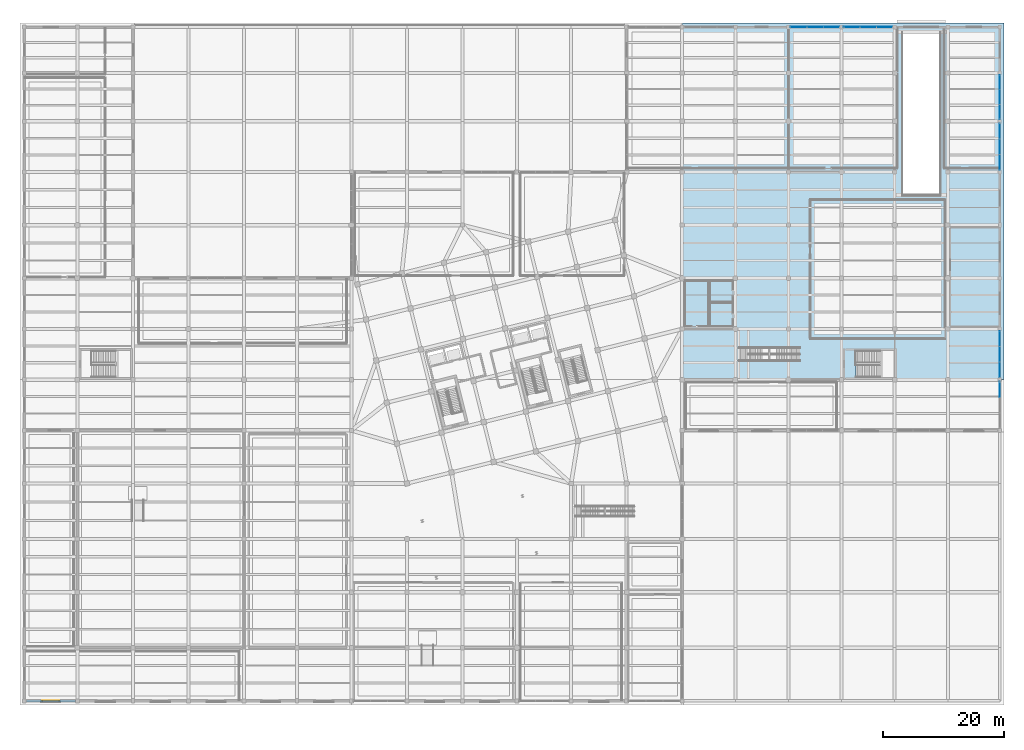
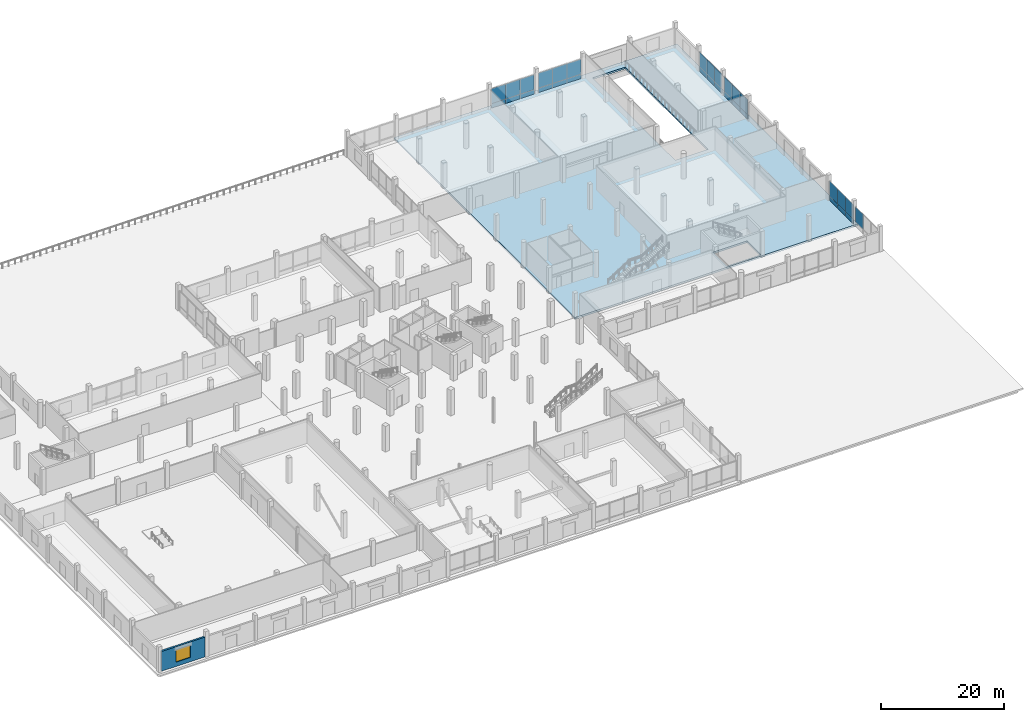
# One storey, part 56 of 73: 31 plates, 1 slab, 1 wall, 1 window, 1 opening, 6 elements without a shape of their own.
"""IFC4 building model written with IfcOpenShell, lengths in metres."""

from ifc_helpers import new_model, si_unit, direction, frame, frame_2d, origin, origin_2d, place, context, subcontext, project, spatial, polyline, rectangle, outline, extrude, material, layer, layer_set, type_object, element, fill, aggregate, save


model = new_model("IFC4")

# Units and contexts
model_context = context("Model", 3, precision=1e-05, world=origin(), true_north=direction((0.0, 1.0)))
body_context = subcontext(model_context, "Body", "Model", "MODEL_VIEW")
ifc_project = project(units=[si_unit("LENGTHUNIT", "METRE"), si_unit("AREAUNIT", "SQUARE_METRE"), si_unit("VOLUMEUNIT", "CUBIC_METRE"), si_unit("PLANEANGLEUNIT", "RADIAN"), si_unit("MASSUNIT", "GRAM", prefix="KILO")], contexts=[model_context])

# Site, building, storey
site_placement = place(None, origin())
site = spatial("IfcSite", under=ifc_project, at=site_placement, CompositionType="ELEMENT")
building_placement = place(site_placement, origin())
building = spatial("IfcBuilding", under=site, at=building_placement, Name="Meriwether Solvik Hall", CompositionType="ELEMENT")
storey_placement = place(building_placement, origin())
storey = spatial("IfcBuildingStorey", under=building, at=storey_placement, Name="L00", CompositionType="ELEMENT", Elevation=0.0)

# Curtain wall, plates
ifc_material_1 = material(Name="Thermally Broken Anodised Aluminium 6063-T6 and Low-E Glass", Category="aluminium")
ifc_layer_1 = layer(ifc_material_1, 0.179931640625)
ifc_layer_set_1 = layer_set([ifc_layer_1], Name="Thermally Broken Anodised Aluminium 6063-T6 and Low-E Glass")
curtain_wall_type = type_object("IfcCurtainWallType", Name="CW-SF-POD-A", PredefinedType="USERDEFINED", material=ifc_layer_set_1)
curtain_wall_1_placement = place(storey_placement, origin())
curtain_wall_1 = element("IfcCurtainWall", 1, at=curtain_wall_1_placement, inside=storey, type_object=curtain_wall_type, Name="Curtain Wall wing_XN_15_32 (L00)", ObjectType="STICK STOREFRONT GLAZING", PredefinedType="USERDEFINED")
ifc_material_2 = material(Name="Acoustic Laminated Insulating Glass", Category="glass")
ifc_layer_2 = layer(ifc_material_2, 0.035888671875)
ifc_layer_set_2 = layer_set([ifc_layer_2], Name="Acoustic Laminated Insulating Glass")
plate_type_1 = type_object("IfcPlateType", Name="PLT-GLZ-270X260", PredefinedType="CURTAIN_PANEL", material=ifc_layer_set_2)
plate_1_placement = place(storey_placement, frame((133.51025390625, 116.800048828125, 0.8798828125), z_axis=(0.0, 0.0, 1.0), x_axis=(1.0, 0.0, 0.0)))
plate_1 = element("IfcPlate", 2, at=plate_1_placement, type_object=plate_type_1, Name="Low-E Vision Glazing Panel 1", PredefinedType="CURTAIN_PANEL", context=body_context, shape_type="SweptSolid", body=[
    extrude(rectangle(XDim=2.66259765625, YDim=0.033935546875, at=origin_2d()), origin(), (0.0, 0.0, 1.0), 3.0),
])
plate_2_placement = place(storey_placement, frame((136.199951171875, 116.800048828125, 0.8798828125), z_axis=(0.0, 0.0, 1.0), x_axis=(1.0, 0.0, 0.0)))
plate_2 = element("IfcPlate", 3, at=plate_2_placement, type_object=plate_type_1, Name="Low-E Vision Glazing Panel 2", PredefinedType="CURTAIN_PANEL", context=body_context, shape_type="SweptSolid", body=[
    extrude(rectangle(XDim=2.70068359375, YDim=0.033935546875, at=origin_2d()), origin(), (0.0, 0.0, 1.0), 3.0),
])
plate_3_placement = place(storey_placement, frame((138.8896484375, 116.800048828125, 0.8798828125), z_axis=(0.0, 0.0, 1.0), x_axis=(1.0, 0.0, 0.0)))
plate_3 = element("IfcPlate", 4, at=plate_3_placement, type_object=plate_type_1, Name="Low-E Vision Glazing Panel 3", PredefinedType="CURTAIN_PANEL", context=body_context, shape_type="SweptSolid", body=[
    extrude(rectangle(XDim=2.66259765625, YDim=0.033935546875, at=origin_2d()), origin(), (0.0, 0.0, 1.0), 3.0),
])

curtain_wall_2_placement = place(storey_placement, origin())
curtain_wall_2 = element("IfcCurtainWall", 5, at=curtain_wall_2_placement, inside=storey, type_object=curtain_wall_type, Name="Curtain Wall wing_XN_16_33 (L00)", ObjectType="STICK STOREFRONT GLAZING", PredefinedType="USERDEFINED")
plate_4_placement = place(storey_placement, frame((142.310302734375, 116.800048828125, 0.8798828125), z_axis=(0.0, 0.0, 1.0), x_axis=(1.0, 0.0, 0.0)))
plate_4 = element("IfcPlate", 6, at=plate_4_placement, type_object=plate_type_1, Name="Low-E Vision Glazing Panel 1", PredefinedType="CURTAIN_PANEL", context=body_context, shape_type="SweptSolid", body=[
    extrude(rectangle(XDim=2.66259765625, YDim=0.033935546875, at=origin_2d()), origin(), (0.0, 0.0, 1.0), 3.0),
])
plate_5_placement = place(storey_placement, frame((145.0, 116.800048828125, 0.8798828125), z_axis=(0.0, 0.0, 1.0), x_axis=(1.0, 0.0, 0.0)))
plate_5 = element("IfcPlate", 7, at=plate_5_placement, type_object=plate_type_1, Name="Low-E Vision Glazing Panel 2", PredefinedType="CURTAIN_PANEL", context=body_context, shape_type="SweptSolid", body=[
    extrude(rectangle(XDim=2.70068359375, YDim=0.033935546875, at=origin_2d()), origin(), (0.0, 0.0, 1.0), 3.0),
])
plate_6_placement = place(storey_placement, frame((147.689697265625, 116.800048828125, 0.8798828125), z_axis=(0.0, 0.0, 1.0), x_axis=(1.0, 0.0, 0.0)))
plate_6 = element("IfcPlate", 8, at=plate_6_placement, type_object=plate_type_1, Name="Low-E Vision Glazing Panel 3", PredefinedType="CURTAIN_PANEL", context=body_context, shape_type="SweptSolid", body=[
    extrude(rectangle(XDim=2.66259765625, YDim=0.033935546875, at=origin_2d()), origin(), (0.0, 0.0, 1.0), 3.0),
])

# Curtain wall, plate
curtain_wall_3_placement = place(storey_placement, origin())
curtain_wall_3 = element("IfcCurtainWall", 9, at=curtain_wall_3_placement, inside=storey, type_object=curtain_wall_type, Name="Curtain Wall wing_Y19_6_64 (L00)", ObjectType="STICK STOREFRONT GLAZING", PredefinedType="USERDEFINED")
plate_7_placement = place(storey_placement, frame((166.800048828125, 56.75634765625, 0.8798828125), z_axis=(0.0, 0.0, 1.0), x_axis=(0.0, -1.0, 0.0)))
plate_7 = element("IfcPlate", 10, at=plate_7_placement, type_object=plate_type_1, Name="Low-E Vision Glazing Panel 1", PredefinedType="CURTAIN_PANEL", context=body_context, shape_type="SweptSolid", body=[
    extrude(rectangle(XDim=2.529296875, YDim=0.033935546875, at=origin_2d()), origin(), (0.0, 0.0, 1.0), 3.0),
])
aggregate(curtain_wall_3, [plate_7])

# Curtain wall, plates
curtain_wall_4_placement = place(storey_placement, origin())
curtain_wall_4 = element("IfcCurtainWall", 11, at=curtain_wall_4_placement, inside=storey, type_object=curtain_wall_type, Name="Curtain Wall wing_Y19_7_65 (L00)", ObjectType="STICK STOREFRONT GLAZING", PredefinedType="USERDEFINED")
plate_8_placement = place(storey_placement, frame((166.800048828125, 65.15625, 0.8798828125), z_axis=(0.0, 0.0, 1.0), x_axis=(0.0, -1.0, 0.0)))
plate_8 = element("IfcPlate", 12, at=plate_8_placement, type_object=plate_type_1, Name="Low-E Vision Glazing Panel 1", PredefinedType="CURTAIN_PANEL", context=body_context, shape_type="SweptSolid", body=[
    extrude(rectangle(XDim=2.529296875, YDim=0.033935546875, at=origin_2d()), origin(), (0.0, 0.0, 1.0), 3.0),
])
plate_9_placement = place(storey_placement, frame((166.800048828125, 62.60009765625, 0.8798828125), z_axis=(0.0, 0.0, 1.0), x_axis=(0.0, -1.0, 0.0)))
plate_9 = element("IfcPlate", 13, at=plate_9_placement, type_object=plate_type_1, Name="Low-E Vision Glazing Panel 2", PredefinedType="CURTAIN_PANEL", context=body_context, shape_type="SweptSolid", body=[
    extrude(rectangle(XDim=2.5673828125, YDim=0.033935546875, at=origin_2d()), origin(), (0.0, 0.0, 1.0), 3.0),
])
plate_10_placement = place(storey_placement, frame((166.800048828125, 60.043701171875, 0.8798828125), z_axis=(0.0, 0.0, 1.0), x_axis=(0.0, -1.0, 0.0)))
plate_10 = element("IfcPlate", 14, at=plate_10_placement, type_object=plate_type_1, Name="Low-E Vision Glazing Panel 3", PredefinedType="CURTAIN_PANEL", context=body_context, shape_type="SweptSolid", body=[
    extrude(rectangle(XDim=2.529296875, YDim=0.033935546875, at=origin_2d()), origin(), (0.0, 0.0, 1.0), 3.0),
])

curtain_wall_5_placement = place(storey_placement, origin())
curtain_wall_5 = element("IfcCurtainWall", 15, at=curtain_wall_5_placement, inside=storey, type_object=curtain_wall_type, Name="Curtain Wall wing_Y19_11_69 (L00)", ObjectType="STICK STOREFRONT GLAZING", PredefinedType="USERDEFINED")
plate_11_placement = place(storey_placement, frame((166.800048828125, 99.556396484375, 0.8798828125), z_axis=(0.0, 0.0, 1.0), x_axis=(0.0, -1.0, 0.0)))
plate_11 = element("IfcPlate", 16, at=plate_11_placement, type_object=plate_type_1, Name="Low-E Vision Glazing Panel 1", PredefinedType="CURTAIN_PANEL", context=body_context, shape_type="SweptSolid", body=[
    extrude(rectangle(XDim=2.529296875, YDim=0.033935546875, at=origin_2d()), origin(), (0.0, 0.0, 1.0), 3.0),
])
plate_12_placement = place(storey_placement, frame((166.800048828125, 97.0, 0.8798828125), z_axis=(0.0, 0.0, 1.0), x_axis=(0.0, -1.0, 0.0)))
plate_12 = element("IfcPlate", 17, at=plate_12_placement, type_object=plate_type_1, Name="Low-E Vision Glazing Panel 2", PredefinedType="CURTAIN_PANEL", context=body_context, shape_type="SweptSolid", body=[
    extrude(rectangle(XDim=2.5673828125, YDim=0.033935546875, at=origin_2d()), origin(), (0.0, 0.0, 1.0), 3.0),
])
plate_13_placement = place(storey_placement, frame((166.800048828125, 94.443603515625, 0.8798828125), z_axis=(0.0, 0.0, 1.0), x_axis=(0.0, -1.0, 0.0)))
plate_13 = element("IfcPlate", 18, at=plate_13_placement, type_object=plate_type_1, Name="Low-E Vision Glazing Panel 3", PredefinedType="CURTAIN_PANEL", context=body_context, shape_type="SweptSolid", body=[
    extrude(rectangle(XDim=2.529296875, YDim=0.033935546875, at=origin_2d()), origin(), (0.0, 0.0, 1.0), 3.0),
])

curtain_wall_6_placement = place(storey_placement, origin())
curtain_wall_6 = element("IfcCurtainWall", 19, at=curtain_wall_6_placement, inside=storey, type_object=curtain_wall_type, Name="Curtain Wall wing_Y19_12_70 (L00)", ObjectType="STICK STOREFRONT GLAZING", PredefinedType="USERDEFINED")
plate_14_placement = place(storey_placement, frame((166.800048828125, 107.623046875, 0.8798828125), z_axis=(0.0, 0.0, 1.0), x_axis=(0.0, -1.0, 0.0)))
plate_14 = element("IfcPlate", 20, at=plate_14_placement, type_object=plate_type_1, Name="Low-E Vision Glazing Panel 1", PredefinedType="CURTAIN_PANEL", context=body_context, shape_type="SweptSolid", body=[
    extrude(rectangle(XDim=2.39599609375, YDim=0.033935546875, at=origin_2d()), origin(), (0.0, 0.0, 1.0), 3.0),
])
plate_15_placement = place(storey_placement, frame((166.800048828125, 105.199951171875, 0.8798828125), z_axis=(0.0, 0.0, 1.0), x_axis=(0.0, -1.0, 0.0)))
plate_15 = element("IfcPlate", 21, at=plate_15_placement, type_object=plate_type_1, Name="Low-E Vision Glazing Panel 2", PredefinedType="CURTAIN_PANEL", context=body_context, shape_type="SweptSolid", body=[
    extrude(rectangle(XDim=2.43408203125, YDim=0.033935546875, at=origin_2d()), origin(), (0.0, 0.0, 1.0), 3.0),
])
plate_16_placement = place(storey_placement, frame((166.800048828125, 102.777099609375, 0.8798828125), z_axis=(0.0, 0.0, 1.0), x_axis=(0.0, -1.0, 0.0)))
plate_16 = element("IfcPlate", 22, at=plate_16_placement, type_object=plate_type_1, Name="Low-E Vision Glazing Panel 3", PredefinedType="CURTAIN_PANEL", context=body_context, shape_type="SweptSolid", body=[
    extrude(rectangle(XDim=2.39599609375, YDim=0.033935546875, at=origin_2d()), origin(), (0.0, 0.0, 1.0), 3.0),
])

# Plate
ifc_material_3 = material(Name="Mineral-Wool Insulated Anodised Aluminium 6063-T6", Category="aluminium")
ifc_layer_3 = layer(ifc_material_3, 0.044921875)
ifc_layer_set_3 = layer_set([ifc_layer_3], Name="Mineral-Wool Insulated Anodised Aluminium 6063-T6")
plate_type_2 = type_object("IfcPlateType", Name="PLT-SPN-270X105", PredefinedType="CURTAIN_PANEL", material=ifc_layer_set_3)
plate_17_placement = place(storey_placement, frame((133.51025390625, 116.800048828125, 0.0), z_axis=(0.0, 0.0, 1.0), x_axis=(1.0, 0.0, 0.0)))
plate_17 = element("IfcPlate", 23, at=plate_17_placement, type_object=plate_type_2, Name="Insulated Spandrel Panel 1", PredefinedType="CURTAIN_PANEL", context=body_context, shape_type="SweptSolid", body=[
    extrude(rectangle(XDim=2.66259765625, YDim=0.044921875, at=origin_2d()), origin(), (0.0, 0.0, 1.0), 0.8798828125),
])

plate_18_placement = place(storey_placement, frame((136.199951171875, 116.800048828125, 0.0), z_axis=(0.0, 0.0, 1.0), x_axis=(1.0, 0.0, 0.0)))
plate_18 = element("IfcPlate", 24, at=plate_18_placement, type_object=plate_type_2, Name="Insulated Spandrel Panel 2", PredefinedType="CURTAIN_PANEL", context=body_context, shape_type="SweptSolid", body=[
    extrude(rectangle(XDim=2.70068359375, YDim=0.044921875, at=origin_2d()), origin(), (0.0, 0.0, 1.0), 0.8798828125),
])

plate_19_placement = place(storey_placement, frame((138.8896484375, 116.800048828125, 0.0), z_axis=(0.0, 0.0, 1.0), x_axis=(1.0, 0.0, 0.0)))
plate_19 = element("IfcPlate", 25, at=plate_19_placement, type_object=plate_type_2, Name="Insulated Spandrel Panel 3", PredefinedType="CURTAIN_PANEL", context=body_context, shape_type="SweptSolid", body=[
    extrude(rectangle(XDim=2.66259765625, YDim=0.044921875, at=origin_2d()), origin(), (0.0, 0.0, 1.0), 0.8798828125),
])

aggregate(curtain_wall_1, [plate_17, plate_1, plate_18, plate_2, plate_19, plate_3])

plate_20_placement = place(storey_placement, frame((142.310302734375, 116.800048828125, 0.0), z_axis=(0.0, 0.0, 1.0), x_axis=(1.0, 0.0, 0.0)))
plate_20 = element("IfcPlate", 26, at=plate_20_placement, type_object=plate_type_2, Name="Insulated Spandrel Panel 1", PredefinedType="CURTAIN_PANEL", context=body_context, shape_type="SweptSolid", body=[
    extrude(rectangle(XDim=2.66259765625, YDim=0.044921875, at=origin_2d()), origin(), (0.0, 0.0, 1.0), 0.8798828125),
])

plate_21_placement = place(storey_placement, frame((145.0, 116.800048828125, 0.0), z_axis=(0.0, 0.0, 1.0), x_axis=(1.0, 0.0, 0.0)))
plate_21 = element("IfcPlate", 27, at=plate_21_placement, type_object=plate_type_2, Name="Insulated Spandrel Panel 2", PredefinedType="CURTAIN_PANEL", context=body_context, shape_type="SweptSolid", body=[
    extrude(rectangle(XDim=2.70068359375, YDim=0.044921875, at=origin_2d()), origin(), (0.0, 0.0, 1.0), 0.8798828125),
])

plate_22_placement = place(storey_placement, frame((147.689697265625, 116.800048828125, 0.0), z_axis=(0.0, 0.0, 1.0), x_axis=(1.0, 0.0, 0.0)))
plate_22 = element("IfcPlate", 28, at=plate_22_placement, type_object=plate_type_2, Name="Insulated Spandrel Panel 3", PredefinedType="CURTAIN_PANEL", context=body_context, shape_type="SweptSolid", body=[
    extrude(rectangle(XDim=2.66259765625, YDim=0.044921875, at=origin_2d()), origin(), (0.0, 0.0, 1.0), 0.8798828125),
])

aggregate(curtain_wall_2, [plate_20, plate_4, plate_21, plate_5, plate_22, plate_6])

plate_23_placement = place(storey_placement, frame((166.800048828125, 65.15625, 0.0), z_axis=(0.0, 0.0, 1.0), x_axis=(0.0, -1.0, 0.0)))
plate_23 = element("IfcPlate", 29, at=plate_23_placement, type_object=plate_type_2, Name="Insulated Spandrel Panel 1", PredefinedType="CURTAIN_PANEL", context=body_context, shape_type="SweptSolid", body=[
    extrude(rectangle(XDim=2.529296875, YDim=0.044921875, at=origin_2d()), origin(), (0.0, 0.0, 1.0), 0.8798828125),
])

plate_24_placement = place(storey_placement, frame((166.800048828125, 62.60009765625, 0.0), z_axis=(0.0, 0.0, 1.0), x_axis=(0.0, -1.0, 0.0)))
plate_24 = element("IfcPlate", 30, at=plate_24_placement, type_object=plate_type_2, Name="Insulated Spandrel Panel 2", PredefinedType="CURTAIN_PANEL", context=body_context, shape_type="SweptSolid", body=[
    extrude(rectangle(XDim=2.5673828125, YDim=0.044921875, at=origin_2d()), origin(), (0.0, 0.0, 1.0), 0.8798828125),
])

plate_25_placement = place(storey_placement, frame((166.800048828125, 60.043701171875, 0.0), z_axis=(0.0, 0.0, 1.0), x_axis=(0.0, -1.0, 0.0)))
plate_25 = element("IfcPlate", 31, at=plate_25_placement, type_object=plate_type_2, Name="Insulated Spandrel Panel 3", PredefinedType="CURTAIN_PANEL", context=body_context, shape_type="SweptSolid", body=[
    extrude(rectangle(XDim=2.529296875, YDim=0.044921875, at=origin_2d()), origin(), (0.0, 0.0, 1.0), 0.8798828125),
])

aggregate(curtain_wall_4, [plate_23, plate_8, plate_24, plate_9, plate_25, plate_10])

plate_26_placement = place(storey_placement, frame((166.800048828125, 99.556396484375, 0.0), z_axis=(0.0, 0.0, 1.0), x_axis=(0.0, -1.0, 0.0)))
plate_26 = element("IfcPlate", 32, at=plate_26_placement, type_object=plate_type_2, Name="Insulated Spandrel Panel 1", PredefinedType="CURTAIN_PANEL", context=body_context, shape_type="SweptSolid", body=[
    extrude(rectangle(XDim=2.529296875, YDim=0.044921875, at=origin_2d()), origin(), (0.0, 0.0, 1.0), 0.8798828125),
])

plate_27_placement = place(storey_placement, frame((166.800048828125, 97.0, 0.0), z_axis=(0.0, 0.0, 1.0), x_axis=(0.0, -1.0, 0.0)))
plate_27 = element("IfcPlate", 33, at=plate_27_placement, type_object=plate_type_2, Name="Insulated Spandrel Panel 2", PredefinedType="CURTAIN_PANEL", context=body_context, shape_type="SweptSolid", body=[
    extrude(rectangle(XDim=2.5673828125, YDim=0.044921875, at=origin_2d()), origin(), (0.0, 0.0, 1.0), 0.8798828125),
])

plate_28_placement = place(storey_placement, frame((166.800048828125, 94.443603515625, 0.0), z_axis=(0.0, 0.0, 1.0), x_axis=(0.0, -1.0, 0.0)))
plate_28 = element("IfcPlate", 34, at=plate_28_placement, type_object=plate_type_2, Name="Insulated Spandrel Panel 3", PredefinedType="CURTAIN_PANEL", context=body_context, shape_type="SweptSolid", body=[
    extrude(rectangle(XDim=2.529296875, YDim=0.044921875, at=origin_2d()), origin(), (0.0, 0.0, 1.0), 0.8798828125),
])

aggregate(curtain_wall_5, [plate_26, plate_11, plate_27, plate_12, plate_28, plate_13])

plate_29_placement = place(storey_placement, frame((166.800048828125, 107.623046875, 0.0), z_axis=(0.0, 0.0, 1.0), x_axis=(0.0, -1.0, 0.0)))
plate_29 = element("IfcPlate", 35, at=plate_29_placement, type_object=plate_type_2, Name="Insulated Spandrel Panel 1", PredefinedType="CURTAIN_PANEL", context=body_context, shape_type="SweptSolid", body=[
    extrude(rectangle(XDim=2.39599609375, YDim=0.044921875, at=origin_2d()), origin(), (0.0, 0.0, 1.0), 0.8798828125),
])

plate_30_placement = place(storey_placement, frame((166.800048828125, 105.199951171875, 0.0), z_axis=(0.0, 0.0, 1.0), x_axis=(0.0, -1.0, 0.0)))
plate_30 = element("IfcPlate", 36, at=plate_30_placement, type_object=plate_type_2, Name="Insulated Spandrel Panel 2", PredefinedType="CURTAIN_PANEL", context=body_context, shape_type="SweptSolid", body=[
    extrude(rectangle(XDim=2.43408203125, YDim=0.044921875, at=origin_2d()), origin(), (0.0, 0.0, 1.0), 0.8798828125),
])

plate_31_placement = place(storey_placement, frame((166.800048828125, 102.777099609375, 0.0), z_axis=(0.0, 0.0, 1.0), x_axis=(0.0, -1.0, 0.0)))
plate_31 = element("IfcPlate", 37, at=plate_31_placement, type_object=plate_type_2, Name="Insulated Spandrel Panel 3", PredefinedType="CURTAIN_PANEL", context=body_context, shape_type="SweptSolid", body=[
    extrude(rectangle(XDim=2.39599609375, YDim=0.044921875, at=origin_2d()), origin(), (0.0, 0.0, 1.0), 0.8798828125),
])

aggregate(curtain_wall_6, [plate_29, plate_14, plate_30, plate_15, plate_31, plate_16])

# Slab
ifc_material_4 = material(Name="Concrete C40/50", Category="concrete")
ifc_layer_4 = layer(ifc_material_4, 0.360107421875)
ifc_layer_set_4 = layer_set([ifc_layer_4], Name="Concrete C40/50")
slab_type = type_object("IfcSlabType", Name="SLB-RC-360", PredefinedType="FLOOR", material=ifc_layer_set_4)
slab_placement = place(storey_placement, frame((0.0, 0.0, -0.360107421875)))
element("IfcSlab", 38, at=slab_placement, inside=storey, type_object=slab_type, Name="L00 Structural Slab Zone 6", PredefinedType="FLOOR", context=body_context, shape_type="SweptSolid", body=[
    extrude(outline(polyline([(114.202880859375, 117.5), (167.5, 117.5), (167.5, 58.403076171875), (114.202880859375, 58.403076171875), (114.202880859375, 117.5)]), holes=[polyline([(149.39990234375, 58.75), (149.39990234375, 63.25), (142.968017578125, 63.25), (142.968017578125, 58.75), (149.39990234375, 58.75)]), polyline([(156.8798828125, 89.0), (156.8798828125, 115.98193359375), (150.719970703125, 115.98193359375), (150.719970703125, 89.0), (156.8798828125, 89.0)])]), origin(), (0.0, 0.0, 1.0), 0.360107421875),
])

# Wall, opening, window
ifc_material_5 = material(Name="Concrete C40/50 Precast", Category="concrete")
ifc_layer_5 = layer(ifc_material_5, 0.340087890625)
ifc_layer_set_5 = layer_set([ifc_layer_5], Name="Concrete C40/50 Precast")
wall_type = type_object("IfcWallType", Name="WALL-EXT-340", PredefinedType="SOLIDWALL", material=ifc_layer_set_5)
wall_placement = place(storey_placement, frame((13.6630859375, 5.199951171875, 0.0), z_axis=(0.0, 0.0, 1.0), x_axis=(-1.0, 0.0, 0.0)))
wall = element("IfcWall", 39, at=wall_placement, inside=storey, type_object=wall_type, Name="L00 S Wing Facade Wall XA_1_0", PredefinedType="SOLIDWALL", context=body_context, shape_type="SweptSolid", body=[
    extrude(rectangle(XDim=8.1259765625, YDim=0.340087890625, at=frame_2d((4.06298828125, 0.0))), origin(), (0.0, 0.0, 1.0), 3.93994140625),
])
opening_placement = place(wall_placement, frame((2.6630859375, 0.0, 0.85009765625)))
opening = element("IfcOpeningElement", 40, at=opening_placement, cuts=wall, Name="Opening WN-165", PredefinedType="OPENING", context=body_context, shape_type="SweptSolid", body=[
    extrude(rectangle(XDim=2.800048828125, YDim=2.449951171875, at=frame_2d((1.39990234375, 1.22509765625))), frame((0.0, 0.18212890625, 0.0), z_axis=(0.0, -1.0, 0.0), x_axis=(1.0, 0.0, 0.0)), (0.0, 0.0, 1.0), 0.364013671875),
])
ifc_material_6 = material(Name="Thermally Broken Anodised Aluminium and Triple Low-E Glass", Category="aluminium")
window_type = type_object("IfcWindowType", Name="WIN-POD-SOUTH-280X245", PartitioningType="SINGLE_PANEL", PredefinedType="WINDOW", material=ifc_material_6)
window_placement = place(opening_placement, origin())
window = element("IfcWindow", 41, at=window_placement, inside=storey, type_object=window_type, Name="L00 S Window XA_1_0", OverallHeight=2.449951171875, OverallWidth=2.800048828125, PartitioningType="SINGLE_PANEL", PredefinedType="WINDOW", context=body_context, shape_type="SweptSolid", body=[
    extrude(rectangle(XDim=2.800048828125, YDim=2.449951171875, at=frame_2d((1.39990234375, 1.22509765625))), frame((0.0, 0.030029296875, 0.0), z_axis=(0.0, -1.0, 0.0), x_axis=(1.0, 0.0, 0.0)), (0.0, 0.0, 1.0), 0.06005859375),
])
fill(opening, window)

save(model, "model.ifc")
